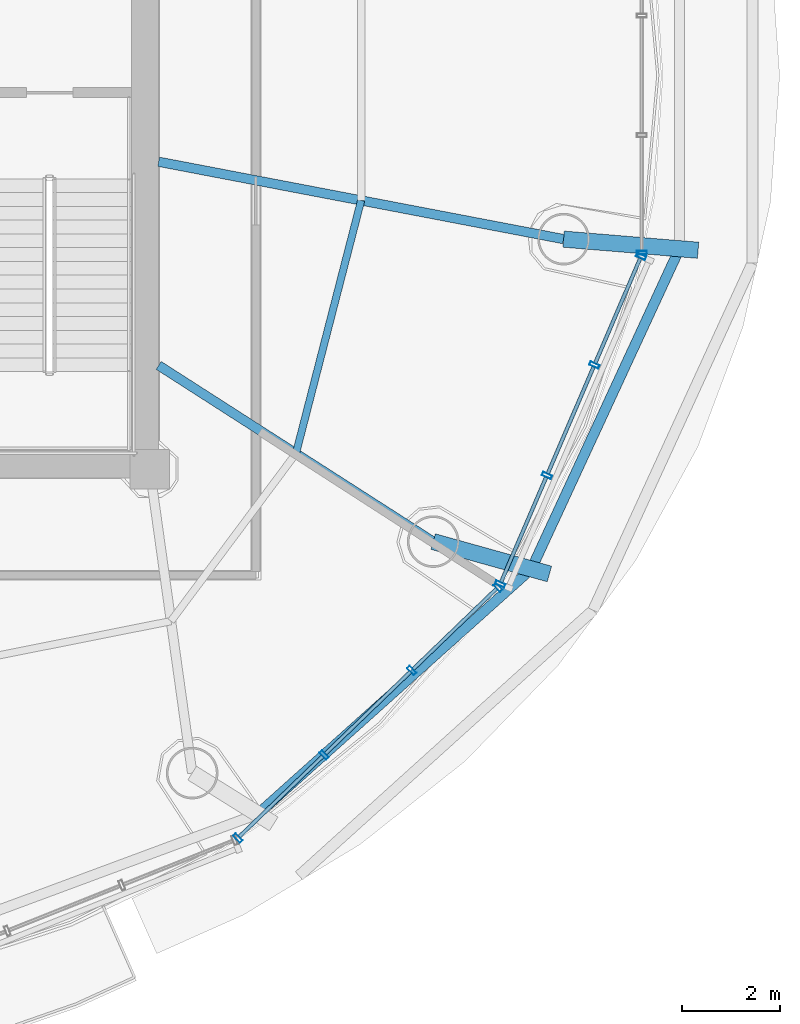
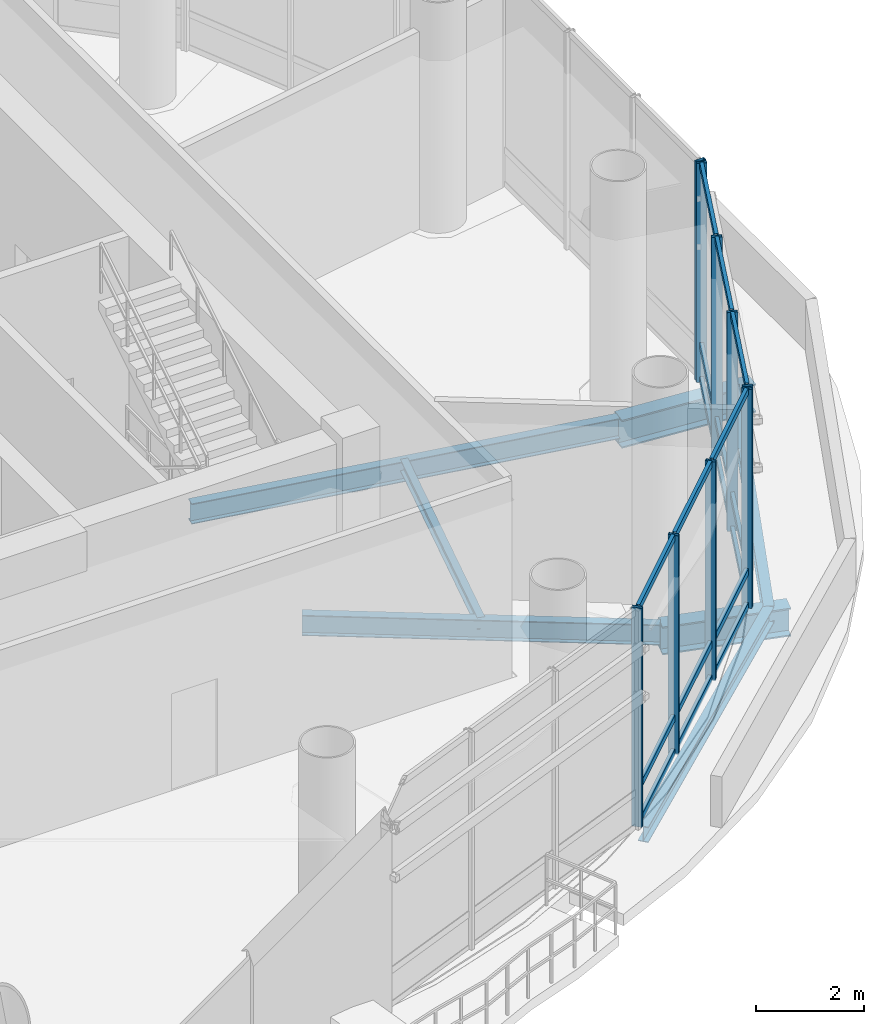
# One storey, part 8 of 22: 27 members, 7 beams, 3 elements without a shape of their own.
"""IFC4 building model written with IfcOpenShell, lengths in metres."""

from ifc_helpers import new_model, si_unit, direction, frame, origin, origin_2d, place, context, subcontext, project, spatial, hollow_rectangle, i_section, extrude, source, transform, mapped, material, material_profile, profile_set, type_object, element, aggregate, save


model = new_model("IFC4")

# Units and contexts
model_context = context("Model", 3, precision=1e-05, world=origin(), true_north=direction((-0.2419218956, 0.970295726276)))
body_context = subcontext(model_context, "Body", "Model", "MODEL_VIEW")
ifc_project = project(units=[si_unit("LENGTHUNIT", "METRE"), si_unit("AREAUNIT", "SQUARE_METRE"), si_unit("VOLUMEUNIT", "CUBIC_METRE"), si_unit("PLANEANGLEUNIT", "RADIAN"), si_unit("MASSUNIT", "GRAM", prefix="KILO")], contexts=[model_context])

# Site, building, storey
site_placement = place(None, origin())
site = spatial("IfcSite", under=ifc_project, at=site_placement, CompositionType="ELEMENT")
building_placement = place(site_placement, origin())
building = spatial("IfcBuilding", under=site, at=building_placement, Name="Cobrevalo Terracotta Tower", CompositionType="ELEMENT")
storey_placement = place(building_placement, frame((0.0, 0.0, 243.0)))
storey = spatial("IfcBuildingStorey", under=building, at=storey_placement, Name="L64", CompositionType="ELEMENT", Elevation=243.0)

# Beams
ifc_material_1 = material(Name="Steel S355", Category="steel")
ifc_material_profile_1 = material_profile(ifc_material_1, i_section(OverallWidth=0.19091796875, OverallDepth=0.4599609375, WebThickness=0.010009765625, FlangeThickness=0.01611328125, at=origin_2d()), Name="W 460x82")
ifc_profile_set_1 = profile_set([ifc_material_profile_1], Name="Steel S355")
beam_type_1 = type_object("IfcBeamType", Name="Structural Beam W 460x82 (Steel S355)", PredefinedType="BEAM", material=ifc_profile_set_1)
beam_1_placement = place(storey_placement, frame((52.758544921875, 17.32763671875, -0.679931640625), z_axis=(-0.841585105238, 0.54012453253, 0.0), x_axis=(-0.54012453253, -0.841585105238, 0.0)))
element("IfcBeam", 1, at=beam_1_placement, inside=storey, type_object=beam_type_1, Name="L64 radial floor girder 15", PredefinedType="BEAM", context=body_context, shape_type="SweptSolid", body=[
    extrude(i_section(OverallWidth=0.19091796875, OverallDepth=0.4599609375, WebThickness=0.010009765625, FlangeThickness=0.01611328125, at=origin_2d()), origin(), (0.0, 0.0, 1.0), 6.628662109375),
])
beam_2_placement = place(storey_placement, frame((55.408935546875, 23.4736328125, -0.679931640625), z_axis=(-0.982232301454, 0.18766913966, 0.0), x_axis=(-0.18766913966, -0.982232301454, 0.0)))
element("IfcBeam", 2, at=beam_2_placement, inside=storey, type_object=beam_type_1, Name="L64 radial floor girder 16", PredefinedType="BEAM", context=body_context, shape_type="SweptSolid", body=[
    extrude(i_section(OverallWidth=0.19091796875, OverallDepth=0.4599609375, WebThickness=0.010009765625, FlangeThickness=0.01611328125, at=origin_2d()), origin(), (0.0, 0.0, 1.0), 8.3779296875),
])
ifc_material_profile_2 = material_profile(ifc_material_1, i_section(OverallWidth=0.3291015625, OverallDepth=0.635009765625, WebThickness=0.017822265625, FlangeThickness=0.031005859375, at=origin_2d()), Name="W 610x241")
ifc_profile_set_2 = profile_set([ifc_material_profile_2], Name="Steel S355")
beam_type_2 = type_object("IfcBeamType", Name="Structural Beam W 610x241 (Steel S355)", PredefinedType="BEAM", material=ifc_profile_set_2)
beam_3_placement = place(storey_placement, frame((55.1201171875, 16.669921875, -0.767578125), z_axis=(-0.963336485916, 0.26829613285, 0.0), x_axis=(-0.26829613285, -0.963336485916, 0.0)))
element("IfcBeam", 3, at=beam_3_placement, inside=storey, type_object=beam_type_2, Name="L64 setback step-link girder 15", PredefinedType="BEAM", context=body_context, shape_type="SweptSolid", body=[
    extrude(i_section(OverallWidth=0.3291015625, OverallDepth=0.635009765625, WebThickness=0.017822265625, FlangeThickness=0.031005859375, at=origin_2d()), origin(), (0.0, 0.0, 1.0), 2.451416015625),
])
beam_4_placement = place(storey_placement, frame((58.1416015625, 23.247314453125, -0.767578125), z_axis=(-0.996587997744, 0.082537038677, 0.0), x_axis=(-0.082537038677, -0.996587997744, 0.0)))
element("IfcBeam", 4, at=beam_4_placement, inside=storey, type_object=beam_type_2, Name="L64 setback step-link girder 16", PredefinedType="BEAM", context=body_context, shape_type="SweptSolid", body=[
    extrude(i_section(OverallWidth=0.3291015625, OverallDepth=0.635009765625, WebThickness=0.017822265625, FlangeThickness=0.031005859375, at=origin_2d()), origin(), (0.0, 0.0, 1.0), 2.741943359375),
])
ifc_material_profile_3 = material_profile(ifc_material_1, i_section(OverallWidth=0.14794921875, OverallDepth=0.26611328125, WebThickness=0.007568359375, FlangeThickness=0.012939453125, at=origin_2d()), Name="W 250x44.8")
ifc_profile_set_3 = profile_set([ifc_material_profile_3], Name="Steel S355")
beam_type_3 = type_object("IfcBeamType", Name="Structural Joist W 250x44.8 (Steel S355)", PredefinedType="JOIST", material=ifc_profile_set_3)
beam_5_placement = place(storey_placement, frame((49.96923828125, 19.11767578125, -0.5830078125), z_axis=(0.249560968956, 0.968359087722, 0.0), x_axis=(-0.968359087722, 0.249560968956, 0.0)))
element("IfcBeam", 5, at=beam_5_placement, inside=storey, type_object=beam_type_3, Name="L64 circumferential secondary floor joist 15", PredefinedType="JOIST", context=body_context, shape_type="SweptSolid", body=[
    extrude(i_section(OverallWidth=0.14794921875, OverallDepth=0.26611328125, WebThickness=0.007568359375, FlangeThickness=0.012939453125, at=origin_2d()), origin(), (0.0, 0.0, 1.0), 5.31005859375),
])
ifc_material_profile_4 = material_profile(ifc_material_1, i_section(OverallWidth=0.205078125, OverallDepth=0.35400390625, WebThickness=0.009521484375, FlangeThickness=0.016845703125, at=origin_2d()), Name="W 360x79")
ifc_profile_set_4 = profile_set([ifc_material_profile_4], Name="Steel S355")
beam_type_4 = type_object("IfcBeamType", Name="Structural Spandrel W 360x79 (Steel S355)", PredefinedType="SPANDREL", material=ifc_profile_set_4)
beam_6_placement = place(storey_placement, frame((49.19482421875, 11.7919921875, -0.626953125), z_axis=(0.744851930997, 0.667229796165, 0.0), x_axis=(-0.667229796165, 0.744851930997, 0.0)))
element("IfcBeam", 6, at=beam_6_placement, inside=storey, type_object=beam_type_4, Name="L64 perimeter ring spandrel 14", PredefinedType="SPANDREL", context=body_context, shape_type="SweptSolid", body=[
    extrude(i_section(OverallWidth=0.205078125, OverallDepth=0.35400390625, WebThickness=0.009521484375, FlangeThickness=0.016845703125, at=origin_2d()), origin(), (0.0, 0.0, 1.0), 7.463623046875),
])
beam_7_placement = place(storey_placement, frame((54.754150390625, 16.77197265625, -0.626953125), z_axis=(0.419718939129, 0.90765412583, 0.0), x_axis=(-0.90765412583, 0.419718939129, 0.0)))
element("IfcBeam", 7, at=beam_7_placement, inside=storey, type_object=beam_type_4, Name="L64 perimeter ring spandrel 15", PredefinedType="SPANDREL", context=body_context, shape_type="SweptSolid", body=[
    extrude(i_section(OverallWidth=0.205078125, OverallDepth=0.35400390625, WebThickness=0.009521484375, FlangeThickness=0.016845703125, at=origin_2d()), origin(), (0.0, 0.0, 1.0), 7.168701171875),
])

# Curtain wall, members
ifc_material_2 = material(Name="Anodized aluminium", Category="aluminium")
curtain_wall_type = type_object("IfcCurtainWallType", Name="Double-height sky-lobby panoramic curtain wall CW-SK", PredefinedType="NOTDEFINED", material=ifc_material_2)
curtain_wall_1_placement = place(storey_placement, origin())
curtain_wall_1 = element("IfcCurtainWall", 8, at=curtain_wall_1_placement, inside=storey, type_object=curtain_wall_type, Name="L64 curtain wall CW-SK-L64-S14", PredefinedType="NOTDEFINED")
ifc_material_profile_5 = material_profile(ifc_material_2, hollow_rectangle(XDim=0.074951171875, YDim=0.199951171875, WallThickness=0.0048828125, at=origin_2d()), Name="CWM 75x200")
ifc_profile_set_5 = profile_set([ifc_material_profile_5], Name="Anodized aluminium")
member_type_1 = type_object("IfcMemberType", Name="Lower/mid tower unitised mullion 75x200", PredefinedType="MULLION", material=ifc_profile_set_5)
shared_shape_1 = source(origin(), body_context, "Body", "SweptSolid", [
    extrude(hollow_rectangle(XDim=0.074951171875, YDim=0.199951171875, WallThickness=0.0048828125, at=origin_2d()), origin(), (0.0, 0.0, 1.0), 4.93994140625),
])
member_1_placement = place(storey_placement, frame((48.790283203125, 11.30419921875, 0.0), z_axis=(0.0, 0.0, 1.0), x_axis=(0.71999418085, 0.69398010025, 0.0)))
member_1 = element("IfcMember", 9, at=member_1_placement, type_object=member_type_1, Name="CW-SK-L64-S14 vertical mullion 01", PredefinedType="MULLION", context=body_context, shape_type="MappedRepresentation", body=[
    mapped(shared_shape_1, transform((0.0, 0.0, 0.0), scale=1.0)),
])
member_2_placement = place(storey_placement, frame((50.542724609375, 12.993408203125, 0.0), z_axis=(0.0, 0.0, 1.0), x_axis=(0.71999418085, 0.69398010025, 0.0)))
member_2 = element("IfcMember", 10, at=member_2_placement, type_object=member_type_1, Name="CW-SK-L64-S14 vertical mullion 02", PredefinedType="MULLION", context=body_context, shape_type="MappedRepresentation", body=[
    mapped(shared_shape_1, transform((0.0, 0.0, 0.0), scale=1.0)),
])
member_3_placement = place(storey_placement, frame((52.32421875, 14.71044921875, 0.0), z_axis=(0.0, 0.0, 1.0), x_axis=(0.71999418085, 0.69398010025, 0.0)))
member_3 = element("IfcMember", 11, at=member_3_placement, type_object=member_type_1, Name="CW-SK-L64-S14 vertical mullion 03", PredefinedType="MULLION", context=body_context, shape_type="MappedRepresentation", body=[
    mapped(shared_shape_1, transform((0.0, 0.0, 0.0), scale=1.0)),
])
member_4_placement = place(storey_placement, frame((54.07666015625, 16.399658203125, 0.0), z_axis=(0.0, 0.0, 1.0), x_axis=(0.71999418085, 0.69398010025, 0.0)))
member_4 = element("IfcMember", 12, at=member_4_placement, type_object=member_type_1, Name="CW-SK-L64-S14 vertical mullion 04", PredefinedType="MULLION", context=body_context, shape_type="MappedRepresentation", body=[
    mapped(shared_shape_1, transform((0.0, 0.0, 0.0), scale=1.0)),
])

curtain_wall_2_placement = place(storey_placement, origin())
curtain_wall_2 = element("IfcCurtainWall", 13, at=curtain_wall_2_placement, inside=storey, type_object=curtain_wall_type, Name="L64 curtain wall CW-SK-L64-S15", PredefinedType="NOTDEFINED")
member_5_placement = place(storey_placement, frame((54.121337890625, 16.46435546875, 0.0), z_axis=(0.0, 0.0, 1.0), x_axis=(0.39482403454, 0.91875675875, 0.0)))
member_5 = element("IfcMember", 14, at=member_5_placement, type_object=member_type_1, Name="CW-SK-L64-S15 vertical mullion 01", PredefinedType="MULLION", context=body_context, shape_type="MappedRepresentation", body=[
    mapped(shared_shape_1, transform((0.0, 0.0, 0.0), scale=1.0)),
])
member_6_placement = place(storey_placement, frame((55.069580078125, 18.6708984375, 0.0), z_axis=(0.0, 0.0, 1.0), x_axis=(0.39482403454, 0.91875675875, 0.0)))
member_6 = element("IfcMember", 15, at=member_6_placement, type_object=member_type_1, Name="CW-SK-L64-S15 vertical mullion 02", PredefinedType="MULLION", context=body_context, shape_type="MappedRepresentation", body=[
    mapped(shared_shape_1, transform((0.0, 0.0, 0.0), scale=1.0)),
])
member_7_placement = place(storey_placement, frame((56.03369140625, 20.914306640625, 0.0), z_axis=(0.0, 0.0, 1.0), x_axis=(0.39482403454, 0.91875675875, 0.0)))
member_7 = element("IfcMember", 16, at=member_7_placement, type_object=member_type_1, Name="CW-SK-L64-S15 vertical mullion 03", PredefinedType="MULLION", context=body_context, shape_type="MappedRepresentation", body=[
    mapped(shared_shape_1, transform((0.0, 0.0, 0.0), scale=1.0)),
])
member_8_placement = place(storey_placement, frame((56.98193359375, 23.120849609375, 0.0), z_axis=(0.0, 0.0, 1.0), x_axis=(0.39482403454, 0.91875675875, 0.0)))
member_8 = element("IfcMember", 17, at=member_8_placement, type_object=member_type_1, Name="CW-SK-L64-S15 vertical mullion 04", PredefinedType="MULLION", context=body_context, shape_type="MappedRepresentation", body=[
    mapped(shared_shape_1, transform((0.0, 0.0, 0.0), scale=1.0)),
])

# Curtain wall, member
curtain_wall_3_placement = place(storey_placement, origin())
curtain_wall_3 = element("IfcCurtainWall", 18, at=curtain_wall_3_placement, inside=storey, type_object=curtain_wall_type, Name="L64 curtain wall CW-SK-L64-S16", PredefinedType="NOTDEFINED")
member_9_placement = place(storey_placement, frame((56.997802734375, 23.19775390625, 0.0), z_axis=(0.0, 0.0, 1.0), x_axis=(0.0, 1.0, 0.0)))
member_9 = element("IfcMember", 19, at=member_9_placement, type_object=member_type_1, Name="CW-SK-L64-S16 vertical mullion 01", PredefinedType="MULLION", context=body_context, shape_type="MappedRepresentation", body=[
    mapped(shared_shape_1, transform((0.0, 0.0, 0.0), scale=1.0)),
])
aggregate(curtain_wall_3, [member_9])

# Member
ifc_material_profile_6 = material_profile(ifc_material_2, hollow_rectangle(XDim=0.074951171875, YDim=0.14990234375, WallThickness=0.00439453125, at=origin_2d()), Name="CWT 75x150")
ifc_profile_set_6 = profile_set([ifc_material_profile_6], Name="Anodized aluminium")
member_type_2 = type_object("IfcMemberType", Name="Tower unitised aluminium transom 75x150", PredefinedType="USERDEFINED", material=ifc_profile_set_6)
shared_shape_2 = source(origin(), body_context, "Body", "SweptSolid", [
    extrude(hollow_rectangle(XDim=0.074951171875, YDim=0.14990234375, WallThickness=0.00439453125, at=origin_2d()), origin(), (0.0, 0.0, 1.0), 2.32177734375),
])
member_10_placement = place(storey_placement, frame((54.13720703125, 16.5009765625, 0.050048828125), z_axis=(0.394858238772, 0.918742059162, 0.0), x_axis=(-0.918742059162, 0.394858238772, 0.0)))
member_10 = element("IfcMember", 20, at=member_10_placement, type_object=member_type_2, Name="CW-SK-L64-S15 transom B01-T1", ObjectType="TRANSOM", PredefinedType="USERDEFINED", context=body_context, shape_type="MappedRepresentation", body=[
    mapped(shared_shape_2, transform((0.0, 0.0, 0.0), scale=1.0)),
])

member_11_placement = place(storey_placement, frame((54.13720703125, 16.5009765625, 0.820068359375), z_axis=(0.394858238772, 0.918742059162, 0.0), x_axis=(-0.918742059162, 0.394858238772, 0.0)))
member_11 = element("IfcMember", 21, at=member_11_placement, type_object=member_type_2, Name="CW-SK-L64-S15 transom B01-T2", ObjectType="TRANSOM", PredefinedType="USERDEFINED", context=body_context, shape_type="MappedRepresentation", body=[
    mapped(shared_shape_2, transform((0.0, 0.0, 0.0), scale=1.0)),
])

member_12_placement = place(storey_placement, frame((54.13720703125, 16.5009765625, 4.889892578125), z_axis=(0.394858238772, 0.918742059162, 0.0), x_axis=(-0.918742059162, 0.394858238772, 0.0)))
member_12 = element("IfcMember", 22, at=member_12_placement, type_object=member_type_2, Name="CW-SK-L64-S15 transom B01-T3", ObjectType="TRANSOM", PredefinedType="USERDEFINED", context=body_context, shape_type="MappedRepresentation", body=[
    mapped(shared_shape_2, transform((0.0, 0.0, 0.0), scale=1.0)),
])

shared_shape_3 = source(origin(), body_context, "Body", "SweptSolid", [
    extrude(hollow_rectangle(XDim=0.074951171875, YDim=0.14990234375, WallThickness=0.00439453125, at=origin_2d()), origin(), (0.0, 0.0, 1.0), 2.36181640625),
])
member_13_placement = place(storey_placement, frame((55.08544921875, 18.70751953125, 0.050048828125), z_axis=(0.394779970074, 0.918775693642, 0.0), x_axis=(-0.918775693642, 0.394779970074, 0.0)))
member_13 = element("IfcMember", 23, at=member_13_placement, type_object=member_type_2, Name="CW-SK-L64-S15 transom B02-T1", ObjectType="TRANSOM", PredefinedType="USERDEFINED", context=body_context, shape_type="MappedRepresentation", body=[
    mapped(shared_shape_3, transform((0.0, 0.0, 0.0), scale=1.0)),
])

member_14_placement = place(storey_placement, frame((55.08544921875, 18.70751953125, 0.820068359375), z_axis=(0.394779970074, 0.918775693642, 0.0), x_axis=(-0.918775693642, 0.394779970074, 0.0)))
member_14 = element("IfcMember", 24, at=member_14_placement, type_object=member_type_2, Name="CW-SK-L64-S15 transom B02-T2", ObjectType="TRANSOM", PredefinedType="USERDEFINED", context=body_context, shape_type="MappedRepresentation", body=[
    mapped(shared_shape_3, transform((0.0, 0.0, 0.0), scale=1.0)),
])

member_15_placement = place(storey_placement, frame((55.08544921875, 18.70751953125, 4.889892578125), z_axis=(0.394779970074, 0.918775693642, 0.0), x_axis=(-0.918775693642, 0.394779970074, 0.0)))
member_15 = element("IfcMember", 25, at=member_15_placement, type_object=member_type_2, Name="CW-SK-L64-S15 transom B02-T3", ObjectType="TRANSOM", PredefinedType="USERDEFINED", context=body_context, shape_type="MappedRepresentation", body=[
    mapped(shared_shape_3, transform((0.0, 0.0, 0.0), scale=1.0)),
])

shared_shape_4 = source(origin(), body_context, "Body", "SweptSolid", [
    extrude(hollow_rectangle(XDim=0.074951171875, YDim=0.14990234375, WallThickness=0.00439453125, at=origin_2d()), origin(), (0.0, 0.0, 1.0), 2.35400390625),
])
member_16_placement = place(storey_placement, frame((48.819091796875, 11.33203125, 0.050048828125), z_axis=(0.719951629272, 0.694024244179, 0.0), x_axis=(-0.694024244179, 0.719951629272, 0.0)))
member_16 = element("IfcMember", 26, at=member_16_placement, type_object=member_type_2, Name="CW-SK-L64-S14 transom B01-T1", ObjectType="TRANSOM", PredefinedType="USERDEFINED", context=body_context, shape_type="MappedRepresentation", body=[
    mapped(shared_shape_4, transform((0.0, 0.0, 0.0), scale=1.0)),
])

member_17_placement = place(storey_placement, frame((48.819091796875, 11.33203125, 0.820068359375), z_axis=(0.719951629272, 0.694024244179, 0.0), x_axis=(-0.694024244179, 0.719951629272, 0.0)))
member_17 = element("IfcMember", 27, at=member_17_placement, type_object=member_type_2, Name="CW-SK-L64-S14 transom B01-T2", ObjectType="TRANSOM", PredefinedType="USERDEFINED", context=body_context, shape_type="MappedRepresentation", body=[
    mapped(shared_shape_4, transform((0.0, 0.0, 0.0), scale=1.0)),
])

member_18_placement = place(storey_placement, frame((48.819091796875, 11.33203125, 4.889892578125), z_axis=(0.719951629272, 0.694024244179, 0.0), x_axis=(-0.694024244179, 0.719951629272, 0.0)))
member_18 = element("IfcMember", 28, at=member_18_placement, type_object=member_type_2, Name="CW-SK-L64-S14 transom B01-T3", ObjectType="TRANSOM", PredefinedType="USERDEFINED", context=body_context, shape_type="MappedRepresentation", body=[
    mapped(shared_shape_4, transform((0.0, 0.0, 0.0), scale=1.0)),
])

member_19_placement = place(storey_placement, frame((52.35302734375, 14.73828125, 0.050048828125), z_axis=(0.719951629272, 0.694024244179, 0.0), x_axis=(-0.694024244179, 0.719951629272, 0.0)))
member_19 = element("IfcMember", 29, at=member_19_placement, type_object=member_type_2, Name="CW-SK-L64-S14 transom B03-T1", ObjectType="TRANSOM", PredefinedType="USERDEFINED", context=body_context, shape_type="MappedRepresentation", body=[
    mapped(shared_shape_4, transform((0.0, 0.0, 0.0), scale=1.0)),
])

member_20_placement = place(storey_placement, frame((52.35302734375, 14.73828125, 0.820068359375), z_axis=(0.719951629272, 0.694024244179, 0.0), x_axis=(-0.694024244179, 0.719951629272, 0.0)))
member_20 = element("IfcMember", 30, at=member_20_placement, type_object=member_type_2, Name="CW-SK-L64-S14 transom B03-T2", ObjectType="TRANSOM", PredefinedType="USERDEFINED", context=body_context, shape_type="MappedRepresentation", body=[
    mapped(shared_shape_4, transform((0.0, 0.0, 0.0), scale=1.0)),
])

member_21_placement = place(storey_placement, frame((52.35302734375, 14.73828125, 4.889892578125), z_axis=(0.719951629272, 0.694024244179, 0.0), x_axis=(-0.694024244179, 0.719951629272, 0.0)))
member_21 = element("IfcMember", 31, at=member_21_placement, type_object=member_type_2, Name="CW-SK-L64-S14 transom B03-T3", ObjectType="TRANSOM", PredefinedType="USERDEFINED", context=body_context, shape_type="MappedRepresentation", body=[
    mapped(shared_shape_4, transform((0.0, 0.0, 0.0), scale=1.0)),
])

shared_shape_5 = source(origin(), body_context, "Body", "SweptSolid", [
    extrude(hollow_rectangle(XDim=0.074951171875, YDim=0.14990234375, WallThickness=0.00439453125, at=origin_2d()), origin(), (0.0, 0.0, 1.0), 2.322021484375),
])
member_22_placement = place(storey_placement, frame((56.049560546875, 20.950927734375, 0.050048828125), z_axis=(0.394820094619, 0.918758451872, 0.0), x_axis=(-0.918758451872, 0.394820094619, 0.0)))
member_22 = element("IfcMember", 32, at=member_22_placement, type_object=member_type_2, Name="CW-SK-L64-S15 transom B03-T1", ObjectType="TRANSOM", PredefinedType="USERDEFINED", context=body_context, shape_type="MappedRepresentation", body=[
    mapped(shared_shape_5, transform((0.0, 0.0, 0.0), scale=1.0)),
])

member_23_placement = place(storey_placement, frame((56.049560546875, 20.950927734375, 0.820068359375), z_axis=(0.394820094619, 0.918758451872, 0.0), x_axis=(-0.918758451872, 0.394820094619, 0.0)))
member_23 = element("IfcMember", 33, at=member_23_placement, type_object=member_type_2, Name="CW-SK-L64-S15 transom B03-T2", ObjectType="TRANSOM", PredefinedType="USERDEFINED", context=body_context, shape_type="MappedRepresentation", body=[
    mapped(shared_shape_5, transform((0.0, 0.0, 0.0), scale=1.0)),
])

member_24_placement = place(storey_placement, frame((56.049560546875, 20.950927734375, 4.889892578125), z_axis=(0.394820094619, 0.918758451872, 0.0), x_axis=(-0.918758451872, 0.394820094619, 0.0)))
member_24 = element("IfcMember", 34, at=member_24_placement, type_object=member_type_2, Name="CW-SK-L64-S15 transom B03-T3", ObjectType="TRANSOM", PredefinedType="USERDEFINED", context=body_context, shape_type="MappedRepresentation", body=[
    mapped(shared_shape_5, transform((0.0, 0.0, 0.0), scale=1.0)),
])

aggregate(curtain_wall_2, [member_5, member_6, member_7, member_8, member_10, member_11, member_12, member_13, member_14, member_15, member_22, member_23, member_24])

shared_shape_6 = source(origin(), body_context, "Body", "SweptSolid", [
    extrude(hollow_rectangle(XDim=0.074951171875, YDim=0.14990234375, WallThickness=0.00439453125, at=origin_2d()), origin(), (0.0, 0.0, 1.0), 2.39404296875),
])
member_25_placement = place(storey_placement, frame((50.571533203125, 13.021240234375, 0.050048828125), z_axis=(0.720038981652, 0.693933617071, 0.0), x_axis=(-0.693933617071, 0.720038981652, 0.0)))
member_25 = element("IfcMember", 35, at=member_25_placement, type_object=member_type_2, Name="CW-SK-L64-S14 transom B02-T1", ObjectType="TRANSOM", PredefinedType="USERDEFINED", context=body_context, shape_type="MappedRepresentation", body=[
    mapped(shared_shape_6, transform((0.0, 0.0, 0.0), scale=1.0)),
])

member_26_placement = place(storey_placement, frame((50.571533203125, 13.021240234375, 0.820068359375), z_axis=(0.720038981652, 0.693933617071, 0.0), x_axis=(-0.693933617071, 0.720038981652, 0.0)))
member_26 = element("IfcMember", 36, at=member_26_placement, type_object=member_type_2, Name="CW-SK-L64-S14 transom B02-T2", ObjectType="TRANSOM", PredefinedType="USERDEFINED", context=body_context, shape_type="MappedRepresentation", body=[
    mapped(shared_shape_6, transform((0.0, 0.0, 0.0), scale=1.0)),
])

member_27_placement = place(storey_placement, frame((50.571533203125, 13.021240234375, 4.889892578125), z_axis=(0.720038981652, 0.693933617071, 0.0), x_axis=(-0.693933617071, 0.720038981652, 0.0)))
member_27 = element("IfcMember", 37, at=member_27_placement, type_object=member_type_2, Name="CW-SK-L64-S14 transom B02-T3", ObjectType="TRANSOM", PredefinedType="USERDEFINED", context=body_context, shape_type="MappedRepresentation", body=[
    mapped(shared_shape_6, transform((0.0, 0.0, 0.0), scale=1.0)),
])

aggregate(curtain_wall_1, [member_1, member_2, member_3, member_4, member_16, member_17, member_18, member_25, member_26, member_27, member_19, member_20, member_21])

save(model, "model.ifc")
